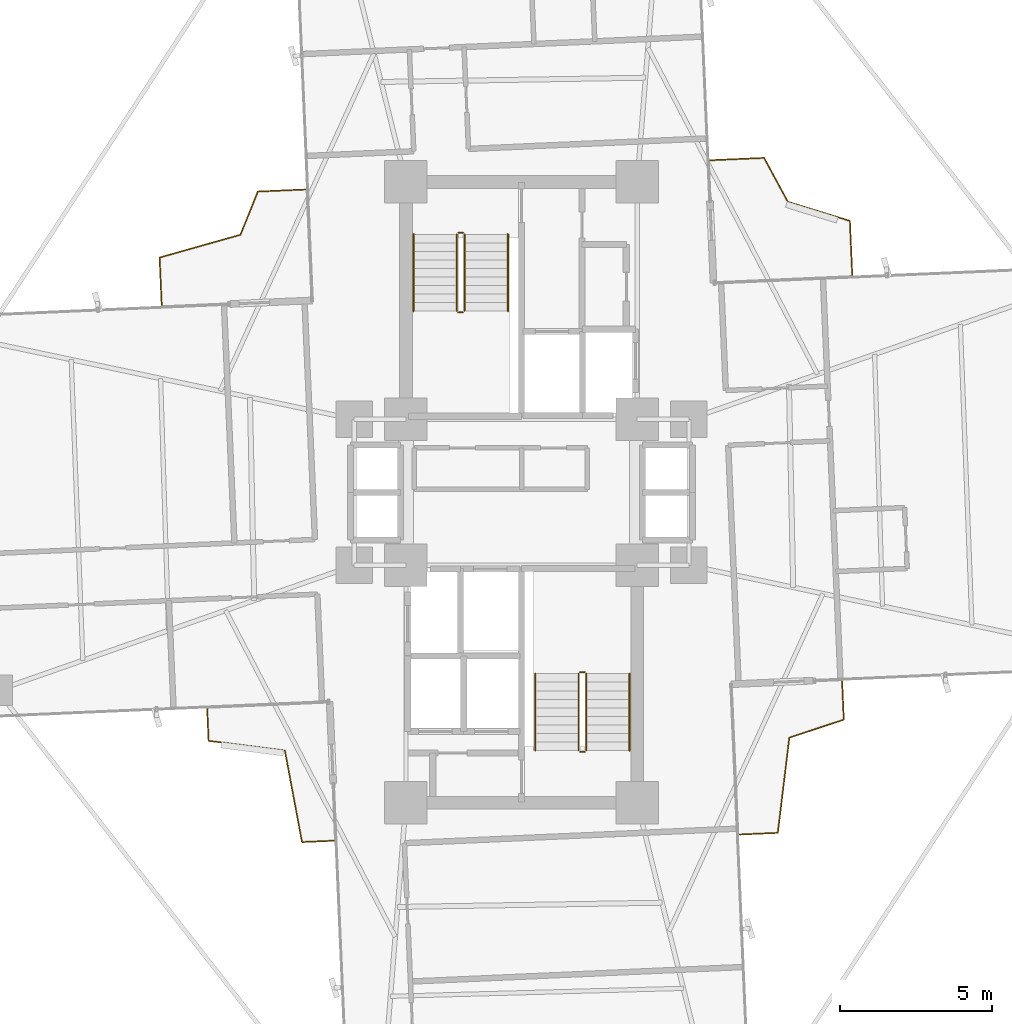
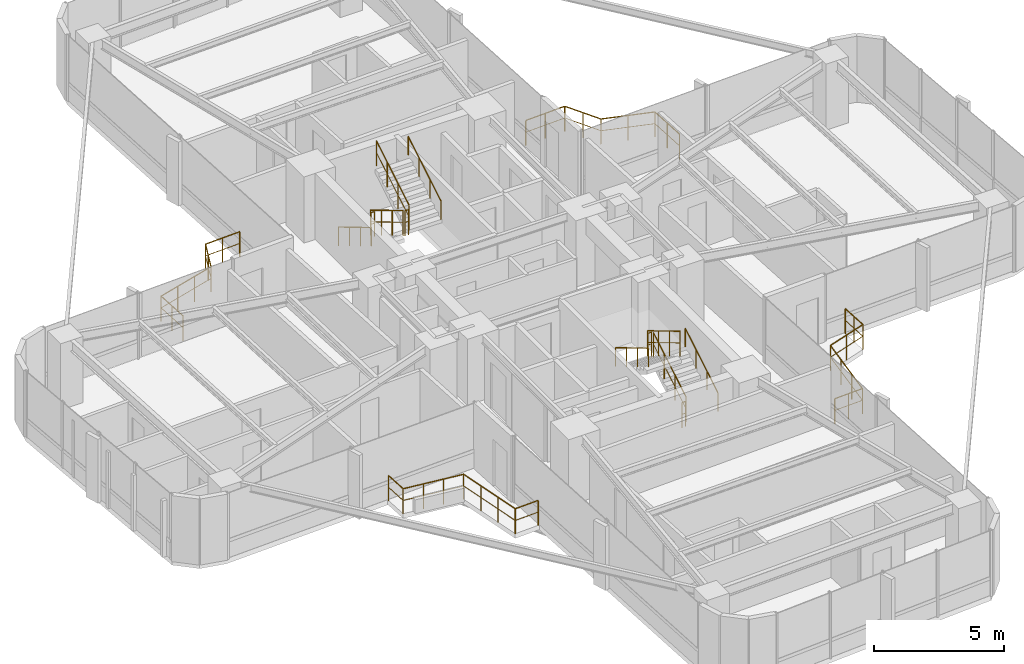
# One storey, part 26 of 26: 16 railings.
"""IFC4 building model written with IfcOpenShell, lengths in metres."""

from ifc_helpers import new_model, si_unit, direction, frame, origin, origin_2d, place, context, subcontext, project, spatial, circle, extrude, material, type_object, element, save


model = new_model("IFC4")

# Units and contexts
model_context = context("Model", 3, precision=1e-05, world=origin(), true_north=direction((0.0, 1.0)))
body_context = subcontext(model_context, "Body", "Model", "MODEL_VIEW")
ifc_project = project(units=[si_unit("LENGTHUNIT", "METRE"), si_unit("AREAUNIT", "SQUARE_METRE"), si_unit("VOLUMEUNIT", "CUBIC_METRE"), si_unit("PLANEANGLEUNIT", "RADIAN"), si_unit("MASSUNIT", "GRAM", prefix="KILO")], contexts=[model_context])

# Site, building, storey
site_placement = place(None, origin())
site = spatial("IfcSite", under=ifc_project, at=site_placement, CompositionType="ELEMENT")
building_placement = place(site_placement, origin())
building = spatial("IfcBuilding", under=site, at=building_placement, Name="Sahyath Konkavel Grand Hotel", CompositionType="ELEMENT")
storey_placement = place(building_placement, frame((0.0, 0.0, 111.449951171875)))
storey = spatial("IfcBuildingStorey", under=building, at=storey_placement, Name="L30", CompositionType="ELEMENT", Elevation=111.449951171875)

# Railings
ifc_material_1 = material(Name="Anodised Bronze Aluminium", Category="aluminium")
railing_type_1 = type_object("IfcRailingType", Name="RLG-BALC-1200", PredefinedType="GUARDRAIL", material=ifc_material_1)
railing_1_placement = place(storey_placement, frame((10.866943359375, 7.140869140625, 0.0)))
element("IfcRailing", 1, at=railing_1_placement, inside=storey, type_object=railing_type_1, Name="L30 Winter-Garden Guard NE", PredefinedType="GUARDRAIL", context=body_context, shape_type="SweptSolid", body=[
    extrude(circle(Radius=0.02392578125, at=origin_2d()), frame((0.0, 0.001953125, 1.17578125), z_axis=(-0.043710754191, 0.999044228234, 0.0), x_axis=(-0.999044228234, -0.043710754191, 0.0)), (0.0, 0.0, 1.0), 1.77783203125),
    extrude(circle(Radius=0.01416015625, at=origin_2d()), frame((0.0, 0.001953125, 0.6240234375), z_axis=(-0.043710754191, 0.999044228234, 0.0), x_axis=(-0.999044228234, -0.043710754191, 0.0)), (0.0, 0.0, 1.0), 1.77783203125),
    extrude(circle(Radius=0.02392578125, at=origin_2d()), frame((-0.079833984375, 1.780517578125, 1.17578125), z_axis=(-0.955751791181, 0.294174291288, 0.0), x_axis=(-0.294174291288, -0.955751791181, 0.0)), (0.0, 0.0, 1.0), 2.129638671875),
    extrude(circle(Radius=0.01416015625, at=origin_2d()), frame((-0.079833984375, 1.780517578125, 0.6240234375), z_axis=(-0.955751791181, 0.294174291288, 0.0), x_axis=(-0.294174291288, -0.955751791181, 0.0)), (0.0, 0.0, 1.0), 2.129638671875),
    extrude(circle(Radius=0.02392578125, at=origin_2d()), frame((-2.1181640625, 2.409423828125, 1.17578125), z_axis=(-0.475822364142, 0.879541401971, 0.0), x_axis=(-0.879541401971, -0.475822364142, 0.0)), (0.0, 0.0, 1.0), 1.634765625),
    extrude(circle(Radius=0.01416015625, at=origin_2d()), frame((-2.1181640625, 2.409423828125, 0.6240234375), z_axis=(-0.475822364142, 0.879541401971, 0.0), x_axis=(-0.879541401971, -0.475822364142, 0.0)), (0.0, 0.0, 1.0), 1.634765625),
    extrude(circle(Radius=0.02392578125, at=origin_2d()), frame((-2.89892578125, 3.84912109375, 1.17578125), z_axis=(-0.99905020262, -0.043573990459, 0.0), x_axis=(0.043573990459, -0.99905020262, 0.0)), (0.0, 0.0, 1.0), 1.77783203125),
    extrude(circle(Radius=0.01416015625, at=origin_2d()), frame((-2.89892578125, 3.84912109375, 0.6240234375), z_axis=(-0.99905020262, -0.043573990459, 0.0), x_axis=(0.043573990459, -0.99905020262, 0.0)), (0.0, 0.0, 1.0), 1.77783203125),
    extrude(circle(Radius=0.02099609375, at=origin_2d()), origin(), (0.0, 0.0, 1.0), 1.15185546875),
    extrude(circle(Radius=0.02099609375, at=origin_2d()), frame((-0.0390625, 0.89013671875, 0.0)), (0.0, 0.0, 1.0), 1.15185546875),
    extrude(circle(Radius=0.02099609375, at=origin_2d()), frame((-0.077880859375, 1.780029296875, 0.0)), (0.0, 0.0, 1.0), 1.15185546875),
    extrude(circle(Radius=0.02099609375, at=origin_2d()), frame((-1.09765625, 2.09375, 0.0)), (0.0, 0.0, 1.0), 1.15185546875),
    extrude(circle(Radius=0.02099609375, at=origin_2d()), frame((-2.1171875, 2.40771484375, 0.0)), (0.0, 0.0, 1.0), 1.15185546875),
    extrude(circle(Radius=0.02099609375, at=origin_2d()), frame((-2.507080078125, 3.12841796875, 0.0)), (0.0, 0.0, 1.0), 1.15185546875),
    extrude(circle(Radius=0.02099609375, at=origin_2d()), frame((-2.89697265625, 3.84912109375, 0.0)), (0.0, 0.0, 1.0), 1.15185546875),
    extrude(circle(Radius=0.02099609375, at=origin_2d()), frame((-3.787109375, 3.810302734375, 0.0)), (0.0, 0.0, 1.0), 1.15185546875),
    extrude(circle(Radius=0.02099609375, at=origin_2d()), frame((-4.677001953125, 3.771484375, 0.0)), (0.0, 0.0, 1.0), 1.15185546875),
])
railing_2_placement = place(storey_placement, frame((-7.100830078125, 9.952880859375, 0.0)))
element("IfcRailing", 2, at=railing_2_placement, inside=storey, type_object=railing_type_1, Name="L30 Winter-Garden Guard NW", PredefinedType="GUARDRAIL", context=body_context, shape_type="SweptSolid", body=[
    extrude(circle(Radius=0.02392578125, at=origin_2d()), frame((-0.001953125, 0.0, 1.17578125), z_axis=(-0.999048205471, -0.043619756359, 0.0), x_axis=(0.043619756359, -0.999048205471, 0.0)), (0.0, 0.0, 1.0), 1.563232421875),
    extrude(circle(Radius=0.01416015625, at=origin_2d()), frame((-0.001953125, 0.0, 0.6240234375), z_axis=(-0.999048205471, -0.043619756359, 0.0), x_axis=(0.043619756359, -0.999048205471, 0.0)), (0.0, 0.0, 1.0), 1.563232421875),
    extrude(circle(Radius=0.02392578125, at=origin_2d()), frame((-1.56640625, -0.0703125, 1.17578125), z_axis=(-0.373507881241, -0.92762700621, 0.0), x_axis=(0.92762700621, -0.373507881241, 0.0)), (0.0, 0.0, 1.0), 1.526123046875),
    extrude(circle(Radius=0.01416015625, at=origin_2d()), frame((-1.56640625, -0.0703125, 0.6240234375), z_axis=(-0.373507881241, -0.92762700621, 0.0), x_axis=(0.92762700621, -0.373507881241, 0.0)), (0.0, 0.0, 1.0), 1.526123046875),
    extrude(circle(Radius=0.02392578125, at=origin_2d()), frame((-2.13916015625, -1.48828125, 1.17578125), z_axis=(-0.96246270887, -0.271413953278, 0.0), x_axis=(0.271413953278, -0.96246270887, 0.0)), (0.0, 0.0, 1.0), 2.756591796875),
    extrude(circle(Radius=0.01416015625, at=origin_2d()), frame((-2.13916015625, -1.48828125, 0.6240234375), z_axis=(-0.96246270887, -0.271413953278, 0.0), x_axis=(0.271413953278, -0.96246270887, 0.0)), (0.0, 0.0, 1.0), 2.756591796875),
    extrude(circle(Radius=0.02392578125, at=origin_2d()), frame((-4.794189453125, -2.239013671875, 1.17578125), z_axis=(0.043768431331, -0.999041703043, 0.0), x_axis=(0.999041703043, 0.043768431331, 0.0)), (0.0, 0.0, 1.0), 1.5634765625),
    extrude(circle(Radius=0.01416015625, at=origin_2d()), frame((-4.794189453125, -2.239013671875, 0.6240234375), z_axis=(0.043768431331, -0.999041703043, 0.0), x_axis=(0.999041703043, 0.043768431331, 0.0)), (0.0, 0.0, 1.0), 1.5634765625),
    extrude(circle(Radius=0.02099609375, at=origin_2d()), origin(), (0.0, 0.0, 1.0), 1.15185546875),
    extrude(circle(Radius=0.02099609375, at=origin_2d()), frame((-0.78271484375, -0.0341796875, 0.0)), (0.0, 0.0, 1.0), 1.15185546875),
    extrude(circle(Radius=0.02099609375, at=origin_2d()), frame((-1.565673828125, -0.068359375, 0.0)), (0.0, 0.0, 1.0), 1.15185546875),
    extrude(circle(Radius=0.02099609375, at=origin_2d()), frame((-1.8515625, -0.778076171875, 0.0)), (0.0, 0.0, 1.0), 1.15185546875),
    extrude(circle(Radius=0.02099609375, at=origin_2d()), frame((-2.13720703125, -1.48779296875, 0.0)), (0.0, 0.0, 1.0), 1.15185546875),
    extrude(circle(Radius=0.02099609375, at=origin_2d()), frame((-3.02294921875, -1.737548828125, 0.0)), (0.0, 0.0, 1.0), 1.15185546875),
    extrude(circle(Radius=0.02099609375, at=origin_2d()), frame((-3.908447265625, -1.9873046875, 0.0)), (0.0, 0.0, 1.0), 1.15185546875),
    extrude(circle(Radius=0.02099609375, at=origin_2d()), frame((-4.794189453125, -2.237060546875, 0.0)), (0.0, 0.0, 1.0), 1.15185546875),
    extrude(circle(Radius=0.02099609375, at=origin_2d()), frame((-4.759765625, -3.02001953125, 0.0)), (0.0, 0.0, 1.0), 1.15185546875),
    extrude(circle(Radius=0.02099609375, at=origin_2d()), frame((-4.7255859375, -3.802978515625, 0.0)), (0.0, 0.0, 1.0), 1.15185546875),
])
railing_3_placement = place(storey_placement, frame((-10.331298828125, -7.117431640625, 0.0)))
element("IfcRailing", 3, at=railing_3_placement, inside=storey, type_object=railing_type_1, Name="L30 Winter-Garden Guard SW", PredefinedType="GUARDRAIL", context=body_context, shape_type="SweptSolid", body=[
    extrude(circle(Radius=0.02392578125, at=origin_2d()), frame((0.0, -0.001953125, 1.17578125), z_axis=(0.043467486153, -0.999054842162, 0.0), x_axis=(0.999054842162, 0.043467486153, 0.0)), (0.0, 0.0, 1.0), 1.04638671875),
    extrude(circle(Radius=0.01416015625, at=origin_2d()), frame((0.0, -0.001953125, 0.6240234375), z_axis=(0.043467486153, -0.999054842162, 0.0), x_axis=(0.999054842162, 0.043467486153, 0.0)), (0.0, 0.0, 1.0), 1.04638671875),
    extrude(circle(Radius=0.02392578125, at=origin_2d()), frame((0.047607421875, -1.049560546875, 1.17578125), z_axis=(0.991811844968, -0.127707729526, 0.0), x_axis=(0.127707729526, 0.991811844968, 0.0)), (0.0, 0.0, 1.0), 2.523193359375),
    extrude(circle(Radius=0.01416015625, at=origin_2d()), frame((0.047607421875, -1.049560546875, 0.6240234375), z_axis=(0.991811844968, -0.127707729526, 0.0), x_axis=(0.127707729526, 0.991811844968, 0.0)), (0.0, 0.0, 1.0), 2.523193359375),
    extrude(circle(Radius=0.02392578125, at=origin_2d()), frame((2.552734375, -1.3740234375, 1.17578125), z_axis=(0.184274066914, -0.9828748996, 0.0), x_axis=(0.9828748996, 0.184274066914, 0.0)), (0.0, 0.0, 1.0), 3.052490234375),
    extrude(circle(Radius=0.01416015625, at=origin_2d()), frame((2.552734375, -1.3740234375, 0.6240234375), z_axis=(0.184274066914, -0.9828748996, 0.0), x_axis=(0.9828748996, 0.184274066914, 0.0)), (0.0, 0.0, 1.0), 3.052490234375),
    extrude(circle(Radius=0.02392578125, at=origin_2d()), frame((3.117431640625, -4.376220703125, 1.17578125), z_axis=(0.999054842162, 0.043467486153, 0.0), x_axis=(-0.043467486153, 0.999054842162, 0.0)), (0.0, 0.0, 1.0), 1.04638671875),
    extrude(circle(Radius=0.01416015625, at=origin_2d()), frame((3.117431640625, -4.376220703125, 0.6240234375), z_axis=(0.999054842162, 0.043467486153, 0.0), x_axis=(-0.043467486153, 0.999054842162, 0.0)), (0.0, 0.0, 1.0), 1.04638671875),
    extrude(circle(Radius=0.02099609375, at=origin_2d()), origin(), (0.0, 0.0, 1.0), 1.15185546875),
    extrude(circle(Radius=0.02099609375, at=origin_2d()), frame((0.045654296875, -1.04931640625, 0.0)), (0.0, 0.0, 1.0), 1.15185546875),
    extrude(circle(Radius=0.02099609375, at=origin_2d()), frame((0.881103515625, -1.156982421875, 0.0)), (0.0, 0.0, 1.0), 1.15185546875),
    extrude(circle(Radius=0.02099609375, at=origin_2d()), frame((1.716796875, -1.264404296875, 0.0)), (0.0, 0.0, 1.0), 1.15185546875),
    extrude(circle(Radius=0.02099609375, at=origin_2d()), frame((2.55224609375, -1.3720703125, 0.0)), (0.0, 0.0, 1.0), 1.15185546875),
    extrude(circle(Radius=0.02099609375, at=origin_2d()), frame((2.739990234375, -2.37353515625, 0.0)), (0.0, 0.0, 1.0), 1.15185546875),
    extrude(circle(Radius=0.02099609375, at=origin_2d()), frame((2.927734375, -3.374755859375, 0.0)), (0.0, 0.0, 1.0), 1.15185546875),
    extrude(circle(Radius=0.02099609375, at=origin_2d()), frame((3.115478515625, -4.376220703125, 0.0)), (0.0, 0.0, 1.0), 1.15185546875),
    extrude(circle(Radius=0.02099609375, at=origin_2d()), frame((4.164794921875, -4.33056640625, 0.0)), (0.0, 0.0, 1.0), 1.15185546875),
])
railing_4_placement = place(storey_placement, frame((7.1572265625, -11.24560546875, 0.0)))
element("IfcRailing", 4, at=railing_4_placement, inside=storey, type_object=railing_type_1, Name="L30 Winter-Garden Guard SE", PredefinedType="GUARDRAIL", context=body_context, shape_type="SweptSolid", body=[
    extrude(circle(Radius=0.02392578125, at=origin_2d()), frame((0.001953125, 0.0, 1.17578125), z_axis=(0.999039699284, 0.043814144462, 0.0), x_axis=(-0.043814144462, 0.999039699284, 0.0)), (0.0, 0.0, 1.0), 1.260986328125),
    extrude(circle(Radius=0.01416015625, at=origin_2d()), frame((0.001953125, 0.0, 0.6240234375), z_axis=(0.999039699284, 0.043814144462, 0.0), x_axis=(-0.043814144462, 0.999039699284, 0.0)), (0.0, 0.0, 1.0), 1.260986328125),
    extrude(circle(Radius=0.02392578125, at=origin_2d()), frame((1.263916015625, 0.057373046875, 1.17578125), z_axis=(0.120389244567, 0.992726764922, 0.0), x_axis=(-0.992726764922, 0.120389244567, 0.0)), (0.0, 0.0, 1.0), 3.145263671875),
    extrude(circle(Radius=0.01416015625, at=origin_2d()), frame((1.263916015625, 0.057373046875, 0.6240234375), z_axis=(0.120389244567, 0.992726764922, 0.0), x_axis=(-0.992726764922, 0.120389244567, 0.0)), (0.0, 0.0, 1.0), 3.145263671875),
    extrude(circle(Radius=0.02392578125, at=origin_2d()), frame((1.644775390625, 3.1826171875, 1.17578125), z_axis=(0.949084083728, 0.31502285951, 0.0), x_axis=(-0.31502285951, 0.949084083728, 0.0)), (0.0, 0.0, 1.0), 1.880859375),
    extrude(circle(Radius=0.01416015625, at=origin_2d()), frame((1.644775390625, 3.1826171875, 0.6240234375), z_axis=(0.949084083728, 0.31502285951, 0.0), x_axis=(-0.31502285951, 0.949084083728, 0.0)), (0.0, 0.0, 1.0), 1.880859375),
    extrude(circle(Radius=0.02392578125, at=origin_2d()), frame((3.431640625, 3.777587890625, 1.17578125), z_axis=(-0.043621498695, 0.999048129397, 0.0), x_axis=(-0.999048129397, -0.043621498695, 0.0)), (0.0, 0.0, 1.0), 1.260986328125),
    extrude(circle(Radius=0.01416015625, at=origin_2d()), frame((3.431640625, 3.777587890625, 0.6240234375), z_axis=(-0.043621498695, 0.999048129397, 0.0), x_axis=(-0.999048129397, -0.043621498695, 0.0)), (0.0, 0.0, 1.0), 1.260986328125),
    extrude(circle(Radius=0.02099609375, at=origin_2d()), origin(), (0.0, 0.0, 1.0), 1.15185546875),
    extrude(circle(Radius=0.02099609375, at=origin_2d()), frame((0.6318359375, 0.02783203125, 0.0)), (0.0, 0.0, 1.0), 1.15185546875),
    extrude(circle(Radius=0.02099609375, at=origin_2d()), frame((1.263671875, 0.055419921875, 0.0)), (0.0, 0.0, 1.0), 1.15185546875),
    extrude(circle(Radius=0.02099609375, at=origin_2d()), frame((1.39013671875, 1.09765625, 0.0)), (0.0, 0.0, 1.0), 1.15185546875),
    extrude(circle(Radius=0.02099609375, at=origin_2d()), frame((1.516357421875, 2.1396484375, 0.0)), (0.0, 0.0, 1.0), 1.15185546875),
    extrude(circle(Radius=0.02099609375, at=origin_2d()), frame((1.642822265625, 3.181884765625, 0.0)), (0.0, 0.0, 1.0), 1.15185546875),
    extrude(circle(Radius=0.02099609375, at=origin_2d()), frame((2.537109375, 3.478759765625, 0.0)), (0.0, 0.0, 1.0), 1.15185546875),
    extrude(circle(Radius=0.02099609375, at=origin_2d()), frame((3.431640625, 3.775634765625, 0.0)), (0.0, 0.0, 1.0), 1.15185546875),
    extrude(circle(Radius=0.02099609375, at=origin_2d()), frame((3.404052734375, 4.407470703125, 0.0)), (0.0, 0.0, 1.0), 1.15185546875),
    extrude(circle(Radius=0.02099609375, at=origin_2d()), frame((3.37646484375, 5.039306640625, 0.0)), (0.0, 0.0, 1.0), 1.15185546875),
])
ifc_material_2 = material(Name="Steel E350", Category="steel")
railing_type_2 = type_object("IfcRailingType", Name="RLG-STAIR-GRD", PredefinedType="GUARDRAIL", material=ifc_material_2)
railing_5_placement = place(storey_placement, frame((-2.1298828125, 8.47998046875, 0.16748046875)))
element("IfcRailing", 5, at=railing_5_placement, inside=storey, type_object=railing_type_2, Name="L30 ST-1 stair guard 1", PredefinedType="GUARDRAIL", context=body_context, shape_type="SweptSolid", body=[
    extrude(circle(Radius=0.02392578125, at=origin_2d()), frame((0.0, -0.001708984375, 1.177001953125), z_axis=(0.0, -0.858159760407, 0.513382728203), x_axis=(1.0, 0.0, 0.0)), (0.0, 0.0, 1.0), 2.9326171875),
    extrude(circle(Radius=0.01416015625, at=origin_2d()), frame((0.0, -0.001708984375, 0.625), z_axis=(0.0, -0.858159760407, 0.513382728203), x_axis=(1.0, 0.0, 0.0)), (0.0, 0.0, 1.0), 2.9326171875),
    extrude(circle(Radius=0.02099609375, at=origin_2d()), origin(), (0.0, 0.0, 1.0), 1.15185546875),
    extrude(circle(Radius=0.02099609375, at=origin_2d()), frame((0.0, -0.840087890625, 0.50244140625)), (0.0, 0.0, 1.0), 1.15185546875),
    extrude(circle(Radius=0.02099609375, at=origin_2d()), frame((0.0, -1.679931640625, 1.005126953125)), (0.0, 0.0, 1.0), 1.15185546875),
    extrude(circle(Radius=0.02099609375, at=origin_2d()), frame((0.0, -2.52001953125, 1.507568359375)), (0.0, 0.0, 1.0), 1.15185546875),
])
railing_6_placement = place(storey_placement, frame((-2.080078125, 5.909912109375, 1.675048828125)))
element("IfcRailing", 6, at=railing_6_placement, inside=storey, type_object=railing_type_2, Name="L30 ST-1 stair guard 2", PredefinedType="GUARDRAIL", context=body_context, shape_type="SweptSolid", body=[
    extrude(circle(Radius=0.02392578125, at=origin_2d()), frame((0.001953125, 0.0, 1.17578125), z_axis=(1.0, 0.0, 0.0), x_axis=(0.0, 1.0, 0.0)), (0.0, 0.0, 1.0), 0.15625),
    extrude(circle(Radius=0.01416015625, at=origin_2d()), frame((0.001953125, 0.0, 0.6240234375), z_axis=(1.0, 0.0, 0.0), x_axis=(0.0, 1.0, 0.0)), (0.0, 0.0, 1.0), 0.15625),
    extrude(circle(Radius=0.02099609375, at=origin_2d()), origin(), (0.0, 0.0, 1.0), 1.15185546875),
    extrude(circle(Radius=0.02099609375, at=origin_2d()), frame((0.16015625, 0.0, 0.0)), (0.0, 0.0, 1.0), 1.15185546875),
])
railing_7_placement = place(storey_placement, frame((-1.8701171875, 5.9599609375, 1.842529296875)))
element("IfcRailing", 7, at=railing_7_placement, inside=storey, type_object=railing_type_2, Name="L30 ST-1 stair guard 3", PredefinedType="GUARDRAIL", context=body_context, shape_type="SweptSolid", body=[
    extrude(circle(Radius=0.02392578125, at=origin_2d()), frame((0.0, 0.001708984375, 1.177001953125), z_axis=(0.0, 0.858159760407, 0.513382728203), x_axis=(-1.0, 0.0, 0.0)), (0.0, 0.0, 1.0), 2.9326171875),
    extrude(circle(Radius=0.01416015625, at=origin_2d()), frame((0.0, 0.001708984375, 0.625), z_axis=(0.0, 0.858159760407, 0.513382728203), x_axis=(-1.0, 0.0, 0.0)), (0.0, 0.0, 1.0), 2.9326171875),
    extrude(circle(Radius=0.02099609375, at=origin_2d()), origin(), (0.0, 0.0, 1.0), 1.15185546875),
    extrude(circle(Radius=0.02099609375, at=origin_2d()), frame((0.0, 0.840087890625, 0.50244140625)), (0.0, 0.0, 1.0), 1.15185546875),
    extrude(circle(Radius=0.02099609375, at=origin_2d()), frame((0.0, 1.679931640625, 1.005126953125)), (0.0, 0.0, 1.0), 1.15185546875),
    extrude(circle(Radius=0.02099609375, at=origin_2d()), frame((0.0, 2.52001953125, 1.507568359375)), (0.0, 0.0, 1.0), 1.15185546875),
])
railing_8_placement = place(storey_placement, frame((-2.080078125, 8.530029296875, 0.0)))
element("IfcRailing", 8, at=railing_8_placement, inside=storey, type_object=railing_type_2, Name="L30 ST-1 stair guard 4", PredefinedType="GUARDRAIL", context=body_context, shape_type="SweptSolid", body=[
    extrude(circle(Radius=0.02392578125, at=origin_2d()), frame((0.001953125, 0.0, 1.17578125), z_axis=(1.0, 0.0, 0.0), x_axis=(0.0, 1.0, 0.0)), (0.0, 0.0, 1.0), 0.15625),
    extrude(circle(Radius=0.01416015625, at=origin_2d()), frame((0.001953125, 0.0, 0.6240234375), z_axis=(1.0, 0.0, 0.0), x_axis=(0.0, 1.0, 0.0)), (0.0, 0.0, 1.0), 0.15625),
    extrude(circle(Radius=0.02099609375, at=origin_2d()), origin(), (0.0, 0.0, 1.0), 1.15185546875),
    extrude(circle(Radius=0.02099609375, at=origin_2d()), frame((0.16015625, 0.0, 0.0)), (0.0, 0.0, 1.0), 1.15185546875),
])
railing_9_placement = place(storey_placement, frame((2.1298828125, -8.47998046875, 0.16748046875)))
element("IfcRailing", 9, at=railing_9_placement, inside=storey, type_object=railing_type_2, Name="L30 ST-2 stair guard 1", PredefinedType="GUARDRAIL", context=body_context, shape_type="SweptSolid", body=[
    extrude(circle(Radius=0.02392578125, at=origin_2d()), frame((0.0, 0.001708984375, 1.177001953125), z_axis=(0.0, 0.858159760407, 0.513382728203), x_axis=(-1.0, 0.0, 0.0)), (0.0, 0.0, 1.0), 2.9326171875),
    extrude(circle(Radius=0.01416015625, at=origin_2d()), frame((0.0, 0.001708984375, 0.625), z_axis=(0.0, 0.858159760407, 0.513382728203), x_axis=(-1.0, 0.0, 0.0)), (0.0, 0.0, 1.0), 2.9326171875),
    extrude(circle(Radius=0.02099609375, at=origin_2d()), origin(), (0.0, 0.0, 1.0), 1.15185546875),
    extrude(circle(Radius=0.02099609375, at=origin_2d()), frame((0.0, 0.840087890625, 0.50244140625)), (0.0, 0.0, 1.0), 1.15185546875),
    extrude(circle(Radius=0.02099609375, at=origin_2d()), frame((0.0, 1.679931640625, 1.005126953125)), (0.0, 0.0, 1.0), 1.15185546875),
    extrude(circle(Radius=0.02099609375, at=origin_2d()), frame((0.0, 2.52001953125, 1.507568359375)), (0.0, 0.0, 1.0), 1.15185546875),
])
railing_10_placement = place(storey_placement, frame((2.080078125, -5.909912109375, 1.675048828125)))
element("IfcRailing", 10, at=railing_10_placement, inside=storey, type_object=railing_type_2, Name="L30 ST-2 stair guard 2", PredefinedType="GUARDRAIL", context=body_context, shape_type="SweptSolid", body=[
    extrude(circle(Radius=0.02392578125, at=origin_2d()), frame((-0.001953125, 0.0, 1.17578125), z_axis=(-1.0, 0.0, 0.0), x_axis=(0.0, -1.0, 0.0)), (0.0, 0.0, 1.0), 0.15625),
    extrude(circle(Radius=0.01416015625, at=origin_2d()), frame((-0.001953125, 0.0, 0.6240234375), z_axis=(-1.0, 0.0, 0.0), x_axis=(0.0, -1.0, 0.0)), (0.0, 0.0, 1.0), 0.15625),
    extrude(circle(Radius=0.02099609375, at=origin_2d()), origin(), (0.0, 0.0, 1.0), 1.15185546875),
    extrude(circle(Radius=0.02099609375, at=origin_2d()), frame((-0.16015625, 0.0, 0.0)), (0.0, 0.0, 1.0), 1.15185546875),
])
railing_11_placement = place(storey_placement, frame((1.8701171875, -5.9599609375, 1.842529296875)))
element("IfcRailing", 11, at=railing_11_placement, inside=storey, type_object=railing_type_2, Name="L30 ST-2 stair guard 3", PredefinedType="GUARDRAIL", context=body_context, shape_type="SweptSolid", body=[
    extrude(circle(Radius=0.02392578125, at=origin_2d()), frame((0.0, -0.001708984375, 1.177001953125), z_axis=(0.0, -0.858159760407, 0.513382728203), x_axis=(1.0, 0.0, 0.0)), (0.0, 0.0, 1.0), 2.9326171875),
    extrude(circle(Radius=0.01416015625, at=origin_2d()), frame((0.0, -0.001708984375, 0.625), z_axis=(0.0, -0.858159760407, 0.513382728203), x_axis=(1.0, 0.0, 0.0)), (0.0, 0.0, 1.0), 2.9326171875),
    extrude(circle(Radius=0.02099609375, at=origin_2d()), origin(), (0.0, 0.0, 1.0), 1.15185546875),
    extrude(circle(Radius=0.02099609375, at=origin_2d()), frame((0.0, -0.840087890625, 0.50244140625)), (0.0, 0.0, 1.0), 1.15185546875),
    extrude(circle(Radius=0.02099609375, at=origin_2d()), frame((0.0, -1.679931640625, 1.005126953125)), (0.0, 0.0, 1.0), 1.15185546875),
    extrude(circle(Radius=0.02099609375, at=origin_2d()), frame((0.0, -2.52001953125, 1.507568359375)), (0.0, 0.0, 1.0), 1.15185546875),
])
railing_12_placement = place(storey_placement, frame((2.080078125, -8.530029296875, 0.0)))
element("IfcRailing", 12, at=railing_12_placement, inside=storey, type_object=railing_type_2, Name="L30 ST-2 stair guard 4", PredefinedType="GUARDRAIL", context=body_context, shape_type="SweptSolid", body=[
    extrude(circle(Radius=0.02392578125, at=origin_2d()), frame((-0.001953125, 0.0, 1.17578125), z_axis=(-1.0, 0.0, 0.0), x_axis=(0.0, -1.0, 0.0)), (0.0, 0.0, 1.0), 0.15625),
    extrude(circle(Radius=0.01416015625, at=origin_2d()), frame((-0.001953125, 0.0, 0.6240234375), z_axis=(-1.0, 0.0, 0.0), x_axis=(0.0, -1.0, 0.0)), (0.0, 0.0, 1.0), 0.15625),
    extrude(circle(Radius=0.02099609375, at=origin_2d()), origin(), (0.0, 0.0, 1.0), 1.15185546875),
    extrude(circle(Radius=0.02099609375, at=origin_2d()), frame((-0.16015625, 0.0, 0.0)), (0.0, 0.0, 1.0), 1.15185546875),
])
railing_type_3 = type_object("IfcRailingType", Name="RLG-STAIR-HND", PredefinedType="HANDRAIL", material=ifc_material_1)
railing_13_placement = place(storey_placement, frame((-3.550048828125, 8.47998046875, 0.16748046875)))
element("IfcRailing", 13, at=railing_13_placement, inside=storey, type_object=railing_type_3, Name="L30 ST-1 stair handrail 1", PredefinedType="HANDRAIL", context=body_context, shape_type="SweptSolid", body=[
    extrude(circle(Radius=0.02392578125, at=origin_2d()), frame((0.0, -0.001708984375, 0.876953125), z_axis=(0.0, -0.858159760407, 0.513382728203), x_axis=(1.0, 0.0, 0.0)), (0.0, 0.0, 1.0), 2.9326171875),
    extrude(circle(Radius=0.02099609375, at=origin_2d()), origin(), (0.0, 0.0, 1.0), 0.851806640625),
    extrude(circle(Radius=0.02099609375, at=origin_2d()), frame((0.0, -0.840087890625, 0.50244140625)), (0.0, 0.0, 1.0), 0.851806640625),
    extrude(circle(Radius=0.02099609375, at=origin_2d()), frame((0.0, -1.679931640625, 1.005126953125)), (0.0, 0.0, 1.0), 0.851806640625),
    extrude(circle(Radius=0.02099609375, at=origin_2d()), frame((0.0, -2.52001953125, 1.507568359375)), (0.0, 0.0, 1.0), 0.851806640625),
])
for number, where, name in (
    (14, (-0.449951171875, 5.9599609375, 1.842529296875), "L30 ST-1 stair handrail 2"),
    (15, (3.550048828125, -8.47998046875, 0.16748046875), "L30 ST-2 stair handrail 1"),
):
    element("IfcRailing", number, at=place(storey_placement, frame(where)), inside=storey, type_object=railing_type_3, Name=name, PredefinedType="HANDRAIL", context=body_context, shape_type="SweptSolid", body=[
        extrude(circle(Radius=0.02392578125, at=origin_2d()), frame((0.0, 0.001708984375, 0.876953125), z_axis=(0.0, 0.858159760407, 0.513382728203), x_axis=(-1.0, 0.0, 0.0)), (0.0, 0.0, 1.0), 2.9326171875),
        extrude(circle(Radius=0.02099609375, at=origin_2d()), origin(), (0.0, 0.0, 1.0), 0.851806640625),
        extrude(circle(Radius=0.02099609375, at=origin_2d()), frame((0.0, 0.840087890625, 0.50244140625)), (0.0, 0.0, 1.0), 0.851806640625),
        extrude(circle(Radius=0.02099609375, at=origin_2d()), frame((0.0, 1.679931640625, 1.005126953125)), (0.0, 0.0, 1.0), 0.851806640625),
        extrude(circle(Radius=0.02099609375, at=origin_2d()), frame((0.0, 2.52001953125, 1.507568359375)), (0.0, 0.0, 1.0), 0.851806640625),
    ])
railing_14_placement = place(storey_placement, frame((0.449951171875, -5.9599609375, 1.842529296875)))
element("IfcRailing", 16, at=railing_14_placement, inside=storey, type_object=railing_type_3, Name="L30 ST-2 stair handrail 2", PredefinedType="HANDRAIL", context=body_context, shape_type="SweptSolid", body=[
    extrude(circle(Radius=0.02392578125, at=origin_2d()), frame((0.0, -0.001708984375, 0.876953125), z_axis=(0.0, -0.858159760407, 0.513382728203), x_axis=(1.0, 0.0, 0.0)), (0.0, 0.0, 1.0), 2.9326171875),
    extrude(circle(Radius=0.02099609375, at=origin_2d()), origin(), (0.0, 0.0, 1.0), 0.851806640625),
    extrude(circle(Radius=0.02099609375, at=origin_2d()), frame((0.0, -0.840087890625, 0.50244140625)), (0.0, 0.0, 1.0), 0.851806640625),
    extrude(circle(Radius=0.02099609375, at=origin_2d()), frame((0.0, -1.679931640625, 1.005126953125)), (0.0, 0.0, 1.0), 0.851806640625),
    extrude(circle(Radius=0.02099609375, at=origin_2d()), frame((0.0, -2.52001953125, 1.507568359375)), (0.0, 0.0, 1.0), 0.851806640625),
])

save(model, "model.ifc")
